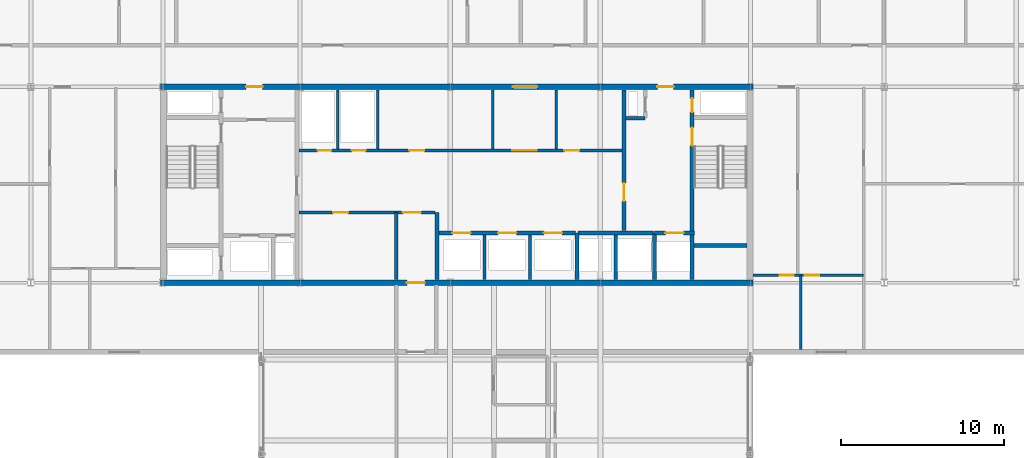
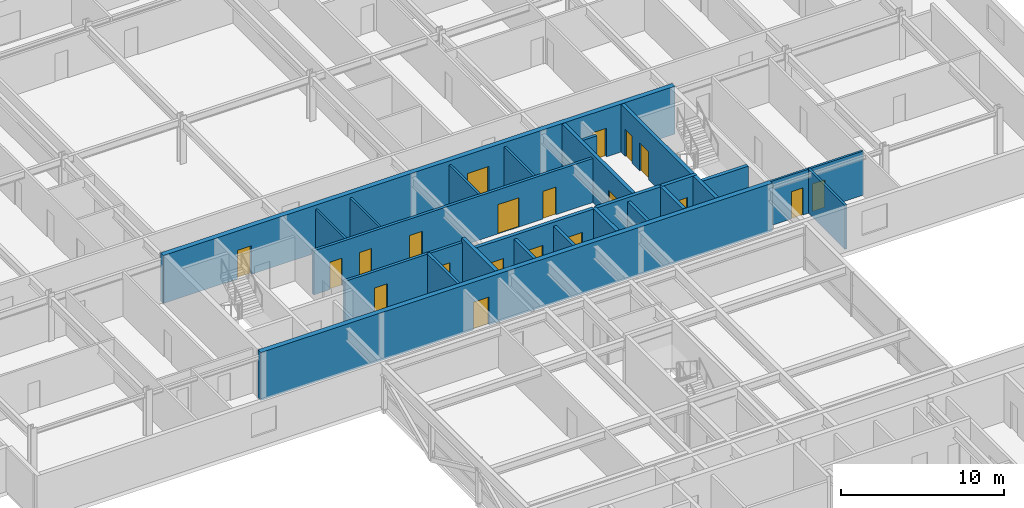
# One storey, part 25 of 36: 24 walls, 20 doors, 20 openings.
"""IFC4 building model written with IfcOpenShell, lengths in metres."""

from ifc_helpers import new_model, si_unit, direction, frame, frame_2d, origin, place, context, subcontext, project, spatial, rectangle, extrude, material, layer, layer_set, type_object, element, fill, save


model = new_model("IFC4")

# Units and contexts
model_context = context("Model", 3, precision=1e-05, world=origin(), true_north=direction((0.0, 1.0)))
body_context = subcontext(model_context, "Body", "Model", "MODEL_VIEW")
ifc_project = project(units=[si_unit("LENGTHUNIT", "METRE"), si_unit("AREAUNIT", "SQUARE_METRE"), si_unit("VOLUMEUNIT", "CUBIC_METRE"), si_unit("PLANEANGLEUNIT", "RADIAN"), si_unit("MASSUNIT", "GRAM", prefix="KILO")], contexts=[model_context])

# Site, building, storey
site_placement = place(None, origin())
site = spatial("IfcSite", under=ifc_project, at=site_placement, CompositionType="ELEMENT")
building_placement = place(site_placement, origin())
building = spatial("IfcBuilding", under=site, at=building_placement, Name="Korimba Cascade Residences", CompositionType="ELEMENT")
storey_placement = place(building_placement, frame((0.0, 0.0, 146.5)))
storey = spatial("IfcBuildingStorey", under=building, at=storey_placement, Name="L42", CompositionType="ELEMENT", Elevation=146.5)

# Wall, opening, door
ifc_material_1 = material(Name="Concrete C65/80", Category="concrete")
ifc_layer_1 = layer(ifc_material_1, 0.35009765625)
ifc_layer_set_1 = layer_set([ifc_layer_1], Name="Concrete C65/80")
wall_type_1 = type_object("IfcWallType", Name="WAL-CORE-350", PredefinedType="SHEAR", material=ifc_layer_set_1)
wall_1_placement = place(storey_placement, frame((75.949951171875, 55.199951171875, 0.0), z_axis=(0.0, 0.0, 1.0), x_axis=(1.0, 0.0, 0.0)))
wall_1 = element("IfcWall", 1, at=wall_1_placement, inside=storey, type_object=wall_type_1, Name="L42 Core Shear Wall CW-L42-T1-S", PredefinedType="SHEAR", context=body_context, shape_type="SweptSolid", body=[
    extrude(rectangle(XDim=36.300048828125, YDim=0.35009765625, at=frame_2d((18.14990234375, 0.0))), origin(), (0.0, 0.0, 1.0), 3.60009765625),
])
opening_1_placement = place(wall_1_placement, frame((15.10009765625, 0.0, 0.0)))
opening_1 = element("IfcOpeningElement", 2, at=opening_1_placement, cuts=wall_1, Name="Opening D-FD1", PredefinedType="OPENING", context=body_context, shape_type="SweptSolid", body=[
    extrude(rectangle(XDim=1.10009765625, YDim=2.10009765625, at=frame_2d((0.550048828125, 1.050048828125))), frame((0.0, 0.18505859375, 0.0), z_axis=(0.0, -1.0, 0.0), x_axis=(1.0, 0.0, 0.0)), (0.0, 0.0, 1.0), 0.3701171875),
])
ifc_material_2 = material(Name="Fire-Rated Steel Core Door", Category="steel")
door_type_1 = type_object("IfcDoorType", Name="DR-FD120-1100", OperationType="NOTDEFINED", PredefinedType="DOOR", material=ifc_material_2)
door_1_placement = place(opening_1_placement, origin())
door_1 = element("IfcDoor", 3, at=door_1_placement, inside=storey, type_object=door_type_1, Name="L42 Skybridge to T1 Core Fire Door", OperationType="SINGLE_SWING_RIGHT", OverallHeight=2.10009765625, OverallWidth=1.10009765625, PredefinedType="DOOR", context=body_context, shape_type="SweptSolid", body=[
    extrude(rectangle(XDim=1.10009765625, YDim=2.10009765625, at=frame_2d((0.550048828125, 1.050048828125))), frame((0.0, 0.02490234375, 0.0), z_axis=(0.0, -1.0, 0.0), x_axis=(1.0, 0.0, 0.0)), (0.0, 0.0, 1.0), 0.050048828125),
])
fill(opening_1, door_1)

# Wall, openings, doors
wall_2_placement = place(storey_placement, frame((75.949951171875, 67.199951171875, 0.0), z_axis=(0.0, 0.0, 1.0), x_axis=(1.0, 0.0, 0.0)))
wall_2 = element("IfcWall", 4, at=wall_2_placement, inside=storey, type_object=wall_type_1, Name="L42 Core Shear Wall CW-L42-T1-N", PredefinedType="SHEAR", context=body_context, shape_type="SweptSolid", body=[
    extrude(rectangle(XDim=36.300048828125, YDim=0.35009765625, at=frame_2d((18.14990234375, 0.0))), origin(), (0.0, 0.0, 1.0), 3.60009765625),
])
opening_2_placement = place(wall_2_placement, frame((5.25, 0.0, 0.0)))
opening_2 = element("IfcOpeningElement", 5, at=opening_2_placement, cuts=wall_2, Name="Opening D-FD5", PredefinedType="OPENING", context=body_context, shape_type="SweptSolid", body=[
    extrude(rectangle(XDim=1.0, YDim=2.14990234375, at=frame_2d((0.5, 1.074951171875))), frame((0.0, 0.18505859375, 0.0), z_axis=(0.0, -1.0, 0.0), x_axis=(1.0, 0.0, 0.0)), (0.0, 0.0, 1.0), 0.3701171875),
])
opening_3_placement = place(wall_2_placement, frame((21.60009765625, 0.0, 0.0)))
opening_3 = element("IfcOpeningElement", 6, at=opening_3_placement, cuts=wall_2, Name="Opening D-FD8", PredefinedType="OPENING", context=body_context, shape_type="SweptSolid", body=[
    extrude(rectangle(XDim=1.5, YDim=2.199951171875, at=frame_2d((0.75, 1.10009765625))), frame((0.0, 0.18505859375, 0.0), z_axis=(0.0, -1.0, 0.0), x_axis=(1.0, 0.0, 0.0)), (0.0, 0.0, 1.0), 0.3701171875),
])
opening_4_placement = place(wall_2_placement, frame((30.449951171875, 0.0, 0.0)))
opening_4 = element("IfcOpeningElement", 7, at=opening_4_placement, cuts=wall_2, Name="Opening D-FD5", PredefinedType="OPENING", context=body_context, shape_type="SweptSolid", body=[
    extrude(rectangle(XDim=1.0, YDim=2.14990234375, at=frame_2d((0.5, 1.074951171875))), frame((0.0, 0.18505859375, 0.0), z_axis=(0.0, -1.0, 0.0), x_axis=(1.0, 0.0, 0.0)), (0.0, 0.0, 1.0), 0.3701171875),
])
ifc_material_3 = material(Name="Fire-Rated Acoustic Timber Vestibule Door", Category="wood")
door_type_2 = type_object("IfcDoorType", Name="DR-FD90-1000", OperationType="NOTDEFINED", PredefinedType="DOOR", material=ifc_material_3)
door_2_placement = place(opening_2_placement, origin())
door_2 = element("IfcDoor", 8, at=door_2_placement, inside=storey, type_object=door_type_2, Name="L42 T1 West Core Vestibule Fire Door", OperationType="SINGLE_SWING_LEFT", OverallHeight=2.14990234375, OverallWidth=1.0, PredefinedType="DOOR", context=body_context, shape_type="SweptSolid", body=[
    extrude(rectangle(XDim=1.0, YDim=2.14990234375, at=frame_2d((0.5, 1.074951171875))), frame((0.0, 0.02490234375, 0.0), z_axis=(0.0, -1.0, 0.0), x_axis=(1.0, 0.0, 0.0)), (0.0, 0.0, 1.0), 0.050048828125),
])
fill(opening_2, door_2)
door_3_placement = place(opening_4_placement, origin())
door_3 = element("IfcDoor", 9, at=door_3_placement, inside=storey, type_object=door_type_2, Name="L42 T1 East Firefighting Vestibule Fire Door", OperationType="SINGLE_SWING_RIGHT", OverallHeight=2.14990234375, OverallWidth=1.0, PredefinedType="DOOR", context=body_context, shape_type="SweptSolid", body=[
    extrude(rectangle(XDim=1.0, YDim=2.14990234375, at=frame_2d((0.5, 1.074951171875))), frame((0.0, 0.02490234375, 0.0), z_axis=(0.0, -1.0, 0.0), x_axis=(1.0, 0.0, 0.0)), (0.0, 0.0, 1.0), 0.050048828125),
])
fill(opening_4, door_3)
ifc_material_4 = material(Name="Fire-Rated Glazed Lift Lobby Double Door", Category="glass")
door_type_3 = type_object("IfcDoorType", Name="DR-FD90-1500", OperationType="NOTDEFINED", PredefinedType="DOOR", material=ifc_material_4)
door_4_placement = place(opening_3_placement, origin())
door_4 = element("IfcDoor", 10, at=door_4_placement, inside=storey, type_object=door_type_3, Name="L42 T1 Lift Lobby Fire Door", OperationType="DOUBLE_DOOR_SINGLE_SWING", OverallHeight=2.199951171875, OverallWidth=1.5, PredefinedType="DOOR", context=body_context, shape_type="SweptSolid", body=[
    extrude(rectangle(XDim=1.5, YDim=2.199951171875, at=frame_2d((0.75, 1.10009765625))), frame((0.0, 0.02490234375, 0.0), z_axis=(0.0, -1.0, 0.0), x_axis=(1.0, 0.0, 0.0)), (0.0, 0.0, 1.0), 0.050048828125),
])
fill(opening_3, door_4)

# Walls
ifc_material_5 = material(Name="Insulated Acoustic Stud Partition", Category="gypsum")
ifc_layer_2 = layer(ifc_material_5, 0.14990234375)
ifc_layer_set_2 = layer_set([ifc_layer_2], Name="Insulated Acoustic Stud Partition")
wall_type_2 = type_object("IfcWallType", Name="WAL-PART-150", PredefinedType="PARTITIONING", material=ifc_layer_set_2)
for number, where, z_axis, x_axis, name in (
    (11, (86.800048828125, 63.39990234375, 0.0), (0.0, 0.0, 1.0), (0.0, 1.0, 0.0), "L42 Partition Wall CW-L42-T1-ERDIV"),
    (12, (89.25, 63.39990234375, 0.0), (0.0, 0.0, 1.0), (0.0, 1.0, 0.0), "L42 Partition Wall CW-L42-T1-PRDIV"),
    (13, (96.300048828125, 63.39990234375, 0.0), (0.0, 0.0, 1.0), (0.0, 1.0, 0.0), "L42 Partition Wall CW-L42-T1-THW"),
    (14, (100.199951171875, 63.39990234375, 0.0), (0.0, 0.0, 1.0), (0.0, 1.0, 0.0), "L42 Partition Wall CW-L42-T1-THE"),
):
    element("IfcWall", number, at=place(storey_placement, frame(where, z_axis=z_axis, x_axis=x_axis)), inside=storey, type_object=wall_type_2, Name=name, PredefinedType="PARTITIONING", context=body_context, shape_type="SweptSolid", body=[
        extrude(rectangle(XDim=3.60009765625, YDim=0.14990234375, at=frame_2d((1.800048828125, 0.0))), origin(), (0.0, 0.0, 1.0), 3.31005859375),
    ])
wall_3_placement = place(storey_placement, frame((115.199951171875, 51.10009765625, 0.0), z_axis=(0.0, 0.0, 1.0), x_axis=(0.0, 1.0, 0.0)))
element("IfcWall", 15, at=wall_3_placement, inside=storey, type_object=wall_type_2, Name="L42 Partition Wall WAL-L42-T1-FE-VS", PredefinedType="PARTITIONING", context=body_context, shape_type="SweptSolid", body=[
    extrude(rectangle(XDim=4.5498046875, YDim=0.14990234375, at=frame_2d((2.27490234375, 0.0))), origin(), (0.0, 0.0, 1.0), 3.31005859375),
])

# Wall, openings, doors
wall_4_placement = place(storey_placement, frame((112.27001953125, 55.64990234375, 0.0), z_axis=(0.0, 0.0, 1.0), x_axis=(1.0, 0.0, 0.0)))
wall_4 = element("IfcWall", 16, at=wall_4_placement, inside=storey, type_object=wall_type_2, Name="L42 Partition Wall WAL-L42-T1-FE-H", PredefinedType="PARTITIONING", context=body_context, shape_type="SweptSolid", body=[
    extrude(rectangle(XDim=6.760009765625, YDim=0.14990234375, at=frame_2d((3.3798828125, 0.0))), origin(), (0.0, 0.0, 1.0), 3.31005859375),
])
opening_5_placement = place(wall_4_placement, frame((1.6396484375, 0.0, 0.0)))
opening_5 = element("IfcOpeningElement", 17, at=opening_5_placement, cuts=wall_4, Name="Opening D-BT1", PredefinedType="OPENING", context=body_context, shape_type="SweptSolid", body=[
    extrude(rectangle(XDim=0.840087890625, YDim=2.0400390625, at=frame_2d((0.419921875, 1.02001953125))), frame((0.0, 0.0849609375, 0.0), z_axis=(0.0, -1.0, 0.0), x_axis=(1.0, 0.0, 0.0)), (0.0, 0.0, 1.0), 0.169921875),
])
opening_6_placement = place(wall_4_placement, frame((3.160400390625, 0.0, 0.0)))
opening_6 = element("IfcOpeningElement", 18, at=opening_6_placement, cuts=wall_4, Name="Opening D-IN2", PredefinedType="OPENING", context=body_context, shape_type="SweptSolid", body=[
    extrude(rectangle(XDim=0.8798828125, YDim=2.06005859375, at=frame_2d((0.43994140625, 1.030029296875))), frame((0.0, 0.0849609375, 0.0), z_axis=(0.0, -1.0, 0.0), x_axis=(1.0, 0.0, 0.0)), (0.0, 0.0, 1.0), 0.169921875),
])
ifc_material_6 = material(Name="Moisture-Resistant Bathroom Timber Door", Category="wood")
door_type_4 = type_object("IfcDoorType", Name="DR-INT-850", OperationType="NOTDEFINED", PredefinedType="DOOR", material=ifc_material_6)
door_5_placement = place(opening_5_placement, origin())
door_5 = element("IfcDoor", 19, at=door_5_placement, inside=storey, type_object=door_type_4, Name="L42-T1-FE Bathroom Door", OperationType="SINGLE_SWING_RIGHT", OverallHeight=2.0400390625, OverallWidth=0.840087890625, PredefinedType="DOOR", context=body_context, shape_type="SweptSolid", body=[
    extrude(rectangle(XDim=0.840087890625, YDim=2.0400390625, at=frame_2d((0.419921875, 1.02001953125))), frame((0.0, 0.02490234375, 0.0), z_axis=(0.0, -1.0, 0.0), x_axis=(1.0, 0.0, 0.0)), (0.0, 0.0, 1.0), 0.050048828125),
])
fill(opening_5, door_5)
ifc_material_7 = material(Name="Acoustic Timber Bedroom Door", Category="wood")
door_type_5 = type_object("IfcDoorType", Name="DR-INT-880", OperationType="NOTDEFINED", PredefinedType="DOOR", material=ifc_material_7)
door_6_placement = place(opening_6_placement, origin())
door_6 = element("IfcDoor", 20, at=door_6_placement, inside=storey, type_object=door_type_5, Name="L42-T1-FE Bedroom Door", OperationType="SINGLE_SWING_LEFT", OverallHeight=2.06005859375, OverallWidth=0.8798828125, PredefinedType="DOOR", context=body_context, shape_type="SweptSolid", body=[
    extrude(rectangle(XDim=0.8798828125, YDim=2.06005859375, at=frame_2d((0.43994140625, 1.030029296875))), frame((0.0, 0.02490234375, 0.0), z_axis=(0.0, -1.0, 0.0), x_axis=(1.0, 0.0, 0.0)), (0.0, 0.0, 1.0), 0.050048828125),
])
fill(opening_6, door_6)

# Wall
ifc_material_8 = material(Name="Concrete C40/50", Category="concrete")
ifc_layer_3 = layer(ifc_material_8, 0.199951171875)
ifc_layer_set_3 = layer_set([ifc_layer_3], Name="Concrete C40/50")
wall_type_3 = type_object("IfcWallType", Name="WAL-PART-200", PredefinedType="PARTITIONING", material=ifc_layer_set_3)
wall_5_placement = place(storey_placement, frame((90.39990234375, 55.39990234375, 0.0), z_axis=(0.0, 0.0, 1.0), x_axis=(0.0, 1.0, 0.0)))
element("IfcWall", 21, at=wall_5_placement, inside=storey, type_object=wall_type_3, Name="L42 Partition Wall CW-L42-T1-BRGPD", PredefinedType="PARTITIONING", context=body_context, shape_type="SweptSolid", body=[
    extrude(rectangle(XDim=4.10009765625, YDim=0.199951171875, at=frame_2d((2.050048828125, 0.0))), origin(), (0.0, 0.0, 1.0), 3.31005859375),
])

# Wall, openings, doors
wall_6_placement = place(storey_placement, frame((84.419921875, 59.5, 0.0), z_axis=(0.0, 0.0, 1.0), x_axis=(1.0, 0.0, 0.0)))
wall_6 = element("IfcWall", 22, at=wall_6_placement, inside=storey, type_object=wall_type_3, Name="L42 Partition Wall CW-L42-T1-B1RN", PredefinedType="PARTITIONING", context=body_context, shape_type="SweptSolid", body=[
    extrude(rectangle(XDim=8.360107421875, YDim=0.199951171875, at=frame_2d((4.18017578125, 0.0))), origin(), (0.0, 0.0, 1.0), 3.31005859375),
])
opening_7_placement = place(wall_6_placement, frame((2.10009765625, 0.0, 0.0)))
opening_7 = element("IfcOpeningElement", 23, at=opening_7_placement, cuts=wall_6, Name="Opening D-ST1", PredefinedType="OPENING", context=body_context, shape_type="SweptSolid", body=[
    extrude(rectangle(XDim=0.919921875, YDim=2.080078125, at=frame_2d((0.4599609375, 1.0400390625))), frame((0.0, 0.10986328125, 0.0), z_axis=(0.0, -1.0, 0.0), x_axis=(1.0, 0.0, 0.0)), (0.0, 0.0, 1.0), 0.219970703125),
])
opening_8_placement = place(wall_6_placement, frame((6.3798828125, 0.0, 0.0)))
opening_8 = element("IfcOpeningElement", 24, at=opening_8_placement, cuts=wall_6, Name="Opening D-FD1", PredefinedType="OPENING", context=body_context, shape_type="SweptSolid", body=[
    extrude(rectangle(XDim=1.10009765625, YDim=2.10009765625, at=frame_2d((0.550048828125, 1.050048828125))), frame((0.0, 0.10986328125, 0.0), z_axis=(0.0, -1.0, 0.0), x_axis=(1.0, 0.0, 0.0)), (0.0, 0.0, 1.0), 0.219970703125),
])
door_7_placement = place(opening_8_placement, origin())
door_7 = element("IfcDoor", 25, at=door_7_placement, inside=storey, type_object=door_type_1, Name="L42 Skybridge Vestibule to Lift Lobby Door", OperationType="SINGLE_SWING_RIGHT", OverallHeight=2.10009765625, OverallWidth=1.10009765625, PredefinedType="DOOR", context=body_context, shape_type="SweptSolid", body=[
    extrude(rectangle(XDim=1.10009765625, YDim=2.10009765625, at=frame_2d((0.550048828125, 1.050048828125))), frame((0.0, 0.02490234375, 0.0), z_axis=(0.0, -1.0, 0.0), x_axis=(1.0, 0.0, 0.0)), (0.0, 0.0, 1.0), 0.050048828125),
])
fill(opening_8, door_7)
ifc_material_9 = material(Name="Fire-Rated Core Store Door", Category="wood")
door_type_6 = type_object("IfcDoorType", Name="DR-FD60-920", OperationType="NOTDEFINED", PredefinedType="DOOR", material=ifc_material_9)
door_8_placement = place(opening_7_placement, origin())
door_8 = element("IfcDoor", 26, at=door_8_placement, inside=storey, type_object=door_type_6, Name="L42 Resident Storage Door", OperationType="SINGLE_SWING_LEFT", OverallHeight=2.080078125, OverallWidth=0.919921875, PredefinedType="DOOR", context=body_context, shape_type="SweptSolid", body=[
    extrude(rectangle(XDim=0.919921875, YDim=2.080078125, at=frame_2d((0.4599609375, 1.0400390625))), frame((0.0, 0.02490234375, 0.0), z_axis=(0.0, -1.0, 0.0), x_axis=(1.0, 0.0, 0.0)), (0.0, 0.0, 1.0), 0.050048828125),
])
fill(opening_7, door_8)

# Walls
for number, where, z_axis, x_axis, name in (
    (27, (95.800048828125, 55.39990234375, 0.0), (0.0, 0.0, 1.0), (0.0, 1.0, 0.0), "L42 Partition Wall CW-L42-T1-B2D1"),
    (28, (98.60009765625, 55.39990234375, 0.0), (0.0, 0.0, 1.0), (0.0, 1.0, 0.0), "L42 Partition Wall CW-L42-T1-B2D2"),
    (29, (103.85009765625, 55.39990234375, 0.0), (0.0, 0.0, 1.0), (0.0, 1.0, 0.0), "L42 Partition Wall CW-L42-T1-B3D1"),
):
    element("IfcWall", number, at=place(storey_placement, frame(where, z_axis=z_axis, x_axis=x_axis)), inside=storey, type_object=wall_type_3, Name=name, PredefinedType="PARTITIONING", context=body_context, shape_type="SweptSolid", body=[
        extrude(rectangle(XDim=2.72021484375, YDim=0.199951171875, at=frame_2d((1.360107421875, 0.0))), origin(), (0.0, 0.0, 1.0), 3.31005859375),
    ])

# Wall, openings, doors
wall_7_placement = place(storey_placement, frame((84.419921875, 63.300048828125, 0.0), z_axis=(0.0, 0.0, 1.0), x_axis=(1.0, 0.0, 0.0)))
wall_7 = element("IfcWall", 30, at=wall_7_placement, inside=storey, type_object=wall_type_3, Name="L42 Partition Wall CW-L42-T1-SRVROW", PredefinedType="PARTITIONING", context=body_context, shape_type="SweptSolid", body=[
    extrude(rectangle(XDim=19.830078125, YDim=0.199951171875, at=frame_2d((9.9150390625, 0.0))), origin(), (0.0, 0.0, 1.0), 3.31005859375),
])
opening_9_placement = place(wall_7_placement, frame((1.14990234375, 0.0, 0.0)))
opening_9 = element("IfcOpeningElement", 31, at=opening_9_placement, cuts=wall_7, Name="Opening D-RS1", PredefinedType="OPENING", context=body_context, shape_type="SweptSolid", body=[
    extrude(rectangle(XDim=0.85009765625, YDim=2.050048828125, at=frame_2d((0.425048828125, 1.02490234375))), frame((0.0, 0.10986328125, 0.0), z_axis=(0.0, -1.0, 0.0), x_axis=(1.0, 0.0, 0.0)), (0.0, 0.0, 1.0), 0.219970703125),
])
opening_10_placement = place(wall_7_placement, frame((3.25, 0.0, 0.0)))
opening_10 = element("IfcOpeningElement", 32, at=opening_10_placement, cuts=wall_7, Name="Opening D-RS1", PredefinedType="OPENING", context=body_context, shape_type="SweptSolid", body=[
    extrude(rectangle(XDim=0.85009765625, YDim=2.050048828125, at=frame_2d((0.425048828125, 1.02490234375))), frame((0.0, 0.10986328125, 0.0), z_axis=(0.0, -1.0, 0.0), x_axis=(1.0, 0.0, 0.0)), (0.0, 0.0, 1.0), 0.219970703125),
])
opening_11_placement = place(wall_7_placement, frame((13.080078125, 0.0, 0.0)))
opening_11 = element("IfcOpeningElement", 33, at=opening_11_placement, cuts=wall_7, Name="Opening D-FD8", PredefinedType="OPENING", context=body_context, shape_type="SweptSolid", body=[
    extrude(rectangle(XDim=1.5, YDim=2.199951171875, at=frame_2d((0.75, 1.10009765625))), frame((0.0, 0.10986328125, 0.0), z_axis=(0.0, -1.0, 0.0), x_axis=(1.0, 0.0, 0.0)), (0.0, 0.0, 1.0), 0.219970703125),
])
opening_12_placement = place(wall_7_placement, frame((6.780029296875, 0.0, 0.0)))
opening_12 = element("IfcOpeningElement", 34, at=opening_12_placement, cuts=wall_7, Name="Opening D-IN1", PredefinedType="OPENING", context=body_context, shape_type="SweptSolid", body=[
    extrude(rectangle(XDim=0.919921875, YDim=2.080078125, at=frame_2d((0.4599609375, 1.0400390625))), frame((0.0, 0.10986328125, 0.0), z_axis=(0.0, -1.0, 0.0), x_axis=(1.0, 0.0, 0.0)), (0.0, 0.0, 1.0), 0.219970703125),
])
opening_13_placement = place(wall_7_placement, frame((16.280029296875, 0.0, 0.0)))
opening_13 = element("IfcOpeningElement", 35, at=opening_13_placement, cuts=wall_7, Name="Opening D-IN1", PredefinedType="OPENING", context=body_context, shape_type="SweptSolid", body=[
    extrude(rectangle(XDim=0.919921875, YDim=2.080078125, at=frame_2d((0.4599609375, 1.0400390625))), frame((0.0, 0.10986328125, 0.0), z_axis=(0.0, -1.0, 0.0), x_axis=(1.0, 0.0, 0.0)), (0.0, 0.0, 1.0), 0.219970703125),
])
ifc_material_10 = material(Name="Fire-Rated Steel Riser Access Door", Category="steel")
door_type_7 = type_object("IfcDoorType", Name="DR-FD60-850", OperationType="NOTDEFINED", PredefinedType="DOOR", material=ifc_material_10)
door_9_placement = place(opening_9_placement, origin())
door_9 = element("IfcDoor", 36, at=door_9_placement, inside=storey, type_object=door_type_7, Name="L42 Electrical Riser Door", OperationType="SINGLE_SWING_LEFT", OverallHeight=2.050048828125, OverallWidth=0.85009765625, PredefinedType="DOOR", context=body_context, shape_type="SweptSolid", body=[
    extrude(rectangle(XDim=0.85009765625, YDim=2.050048828125, at=frame_2d((0.425048828125, 1.02490234375))), frame((0.0, 0.02490234375, 0.0), z_axis=(0.0, -1.0, 0.0), x_axis=(1.0, 0.0, 0.0)), (0.0, 0.0, 1.0), 0.050048828125),
])
fill(opening_9, door_9)
door_10_placement = place(opening_10_placement, origin())
door_10 = element("IfcDoor", 37, at=door_10_placement, inside=storey, type_object=door_type_7, Name="L42 Plumbing Riser Door", OperationType="SINGLE_SWING_RIGHT", OverallHeight=2.050048828125, OverallWidth=0.85009765625, PredefinedType="DOOR", context=body_context, shape_type="SweptSolid", body=[
    extrude(rectangle(XDim=0.85009765625, YDim=2.050048828125, at=frame_2d((0.425048828125, 1.02490234375))), frame((0.0, 0.02490234375, 0.0), z_axis=(0.0, -1.0, 0.0), x_axis=(1.0, 0.0, 0.0)), (0.0, 0.0, 1.0), 0.050048828125),
])
fill(opening_10, door_10)
door_11_placement = place(opening_11_placement, origin())
door_11 = element("IfcDoor", 38, at=door_11_placement, inside=storey, type_object=door_type_3, Name="L42 Lift Lobby Foyer Archway Door", OperationType="DOUBLE_DOOR_SINGLE_SWING", OverallHeight=2.199951171875, OverallWidth=1.5, PredefinedType="DOOR", context=body_context, shape_type="SweptSolid", body=[
    extrude(rectangle(XDim=1.5, YDim=2.199951171875, at=frame_2d((0.75, 1.10009765625))), frame((0.0, 0.02490234375, 0.0), z_axis=(0.0, -1.0, 0.0), x_axis=(1.0, 0.0, 0.0)), (0.0, 0.0, 1.0), 0.050048828125),
])
fill(opening_11, door_11)
ifc_material_11 = material(Name="Acoustic Timber Living Door", Category="wood")
door_type_8 = type_object("IfcDoorType", Name="DR-INT-920", OperationType="NOTDEFINED", PredefinedType="DOOR", material=ifc_material_11)
door_12_placement = place(opening_12_placement, origin())
door_12 = element("IfcDoor", 39, at=door_12_placement, inside=storey, type_object=door_type_8, Name="L42 Housekeeping Door", OperationType="SINGLE_SWING_LEFT", OverallHeight=2.080078125, OverallWidth=0.919921875, PredefinedType="DOOR", context=body_context, shape_type="SweptSolid", body=[
    extrude(rectangle(XDim=0.919921875, YDim=2.080078125, at=frame_2d((0.4599609375, 1.0400390625))), frame((0.0, 0.02490234375, 0.0), z_axis=(0.0, -1.0, 0.0), x_axis=(1.0, 0.0, 0.0)), (0.0, 0.0, 1.0), 0.050048828125),
])
fill(opening_12, door_12)
door_13_placement = place(opening_13_placement, origin())
door_13 = element("IfcDoor", 40, at=door_13_placement, inside=storey, type_object=door_type_8, Name="L42 Store Door", OperationType="SINGLE_SWING_RIGHT", OverallHeight=2.080078125, OverallWidth=0.919921875, PredefinedType="DOOR", context=body_context, shape_type="SweptSolid", body=[
    extrude(rectangle(XDim=0.919921875, YDim=2.080078125, at=frame_2d((0.4599609375, 1.0400390625))), frame((0.0, 0.02490234375, 0.0), z_axis=(0.0, -1.0, 0.0), x_axis=(1.0, 0.0, 0.0)), (0.0, 0.0, 1.0), 0.050048828125),
])
fill(opening_13, door_13)

# Walls
wall_8_placement = place(storey_placement, frame((104.449951171875, 65.280029296875, 0.0), z_axis=(0.0, 0.0, 1.0), x_axis=(1.0, 0.0, 0.0)))
element("IfcWall", 41, at=wall_8_placement, inside=storey, type_object=wall_type_3, Name="L42 Partition Wall CW-L42-T1-HYDW2S", PredefinedType="PARTITIONING", context=body_context, shape_type="SweptSolid", body=[
    extrude(rectangle(XDim=1.199951171875, YDim=0.199951171875, at=frame_2d((0.60009765625, 0.0))), origin(), (0.0, 0.0, 1.0), 3.31005859375),
])
ifc_material_12 = material(Name="Concrete C50/60", Category="concrete")
ifc_layer_4 = layer(ifc_material_12, 0.25)
ifc_layer_set_4 = layer_set([ifc_layer_4], Name="Concrete C50/60")
wall_type_4 = type_object("IfcWallType", Name="WAL-SHAFT-250", PredefinedType="SHEAR", material=ifc_layer_set_4)
wall_9_placement = place(storey_placement, frame((92.89990234375, 55.39990234375, 0.0), z_axis=(0.0, 0.0, 1.0), x_axis=(0.0, 1.0, 0.0)))
element("IfcWall", 42, at=wall_9_placement, inside=storey, type_object=wall_type_4, Name="L42 Core Shear Wall CW-L42-T1-B12DIV", PredefinedType="SHEAR", context=body_context, shape_type="SweptSolid", body=[
    extrude(rectangle(XDim=4.10009765625, YDim=0.25, at=frame_2d((2.050048828125, 0.0))), origin(), (0.0, 0.0, 1.0), 3.60009765625),
])

# Wall, openings, doors
wall_10_placement = place(storey_placement, frame((93.02001953125, 58.25, 0.0), z_axis=(0.0, 0.0, 1.0), x_axis=(1.0, 0.0, 0.0)))
wall_10 = element("IfcWall", 43, at=wall_10_placement, inside=storey, type_object=wall_type_4, Name="L42 Core Shear Wall CW-L42-T1-B2N", PredefinedType="SHEAR", context=body_context, shape_type="SweptSolid", body=[
    extrude(rectangle(XDim=8.35986328125, YDim=0.25, at=frame_2d((4.179931640625, 0.0))), origin(), (0.0, 0.0, 1.0), 3.60009765625),
])
opening_14_placement = place(wall_10_placement, frame((0.820068359375, 0.0, 0.0)))
opening_14 = element("IfcOpeningElement", 44, at=opening_14_placement, cuts=wall_10, Name="Opening LD-01", PredefinedType="OPENING", context=body_context, shape_type="SweptSolid", body=[
    extrude(rectangle(XDim=1.1201171875, YDim=2.1201171875, at=frame_2d((0.56005859375, 1.06005859375))), frame((0.0, 0.135009765625, 0.0), z_axis=(0.0, -1.0, 0.0), x_axis=(1.0, 0.0, 0.0)), (0.0, 0.0, 1.0), 0.27001953125),
])
opening_15_placement = place(wall_10_placement, frame((3.6201171875, 0.0, 0.0)))
opening_15 = element("IfcOpeningElement", 45, at=opening_15_placement, cuts=wall_10, Name="Opening LD-01", PredefinedType="OPENING", context=body_context, shape_type="SweptSolid", body=[
    extrude(rectangle(XDim=1.1201171875, YDim=2.1201171875, at=frame_2d((0.56005859375, 1.06005859375))), frame((0.0, 0.135009765625, 0.0), z_axis=(0.0, -1.0, 0.0), x_axis=(1.0, 0.0, 0.0)), (0.0, 0.0, 1.0), 0.27001953125),
])
opening_16_placement = place(wall_10_placement, frame((6.419921875, 0.0, 0.0)))
opening_16 = element("IfcOpeningElement", 46, at=opening_16_placement, cuts=wall_10, Name="Opening LD-01", PredefinedType="OPENING", context=body_context, shape_type="SweptSolid", body=[
    extrude(rectangle(XDim=1.1201171875, YDim=2.1201171875, at=frame_2d((0.56005859375, 1.06005859375))), frame((0.0, 0.135009765625, 0.0), z_axis=(0.0, -1.0, 0.0), x_axis=(1.0, 0.0, 0.0)), (0.0, 0.0, 1.0), 0.27001953125),
])
ifc_material_13 = material(Name="Stainless Steel Lift Landing Sliding Door", Category="steel")
door_type_9 = type_object("IfcDoorType", Name="DR-LIFT-1100", OperationType="NOTDEFINED", PredefinedType="DOOR", material=ifc_material_13)
door_14_placement = place(opening_14_placement, origin())
door_14 = element("IfcDoor", 47, at=door_14_placement, inside=storey, type_object=door_type_9, Name="L42 Lift Landing Door PL-W4", OperationType="SLIDING_TO_RIGHT", OverallHeight=2.1201171875, OverallWidth=1.1201171875, PredefinedType="DOOR", context=body_context, shape_type="SweptSolid", body=[
    extrude(rectangle(XDim=1.1201171875, YDim=2.1201171875, at=frame_2d((0.56005859375, 1.06005859375))), frame((0.0, 0.02490234375, 0.0), z_axis=(0.0, -1.0, 0.0), x_axis=(1.0, 0.0, 0.0)), (0.0, 0.0, 1.0), 0.050048828125),
])
fill(opening_14, door_14)
door_15_placement = place(opening_15_placement, origin())
door_15 = element("IfcDoor", 48, at=door_15_placement, inside=storey, type_object=door_type_9, Name="L42 Lift Landing Door PL-W5", OperationType="SLIDING_TO_RIGHT", OverallHeight=2.1201171875, OverallWidth=1.1201171875, PredefinedType="DOOR", context=body_context, shape_type="SweptSolid", body=[
    extrude(rectangle(XDim=1.1201171875, YDim=2.1201171875, at=frame_2d((0.56005859375, 1.06005859375))), frame((0.0, 0.02490234375, 0.0), z_axis=(0.0, -1.0, 0.0), x_axis=(1.0, 0.0, 0.0)), (0.0, 0.0, 1.0), 0.050048828125),
])
fill(opening_15, door_15)
door_16_placement = place(opening_16_placement, origin())
door_16 = element("IfcDoor", 49, at=door_16_placement, inside=storey, type_object=door_type_9, Name="L42 Lift Landing Door PL-W6", OperationType="SLIDING_TO_RIGHT", OverallHeight=2.1201171875, OverallWidth=1.1201171875, PredefinedType="DOOR", context=body_context, shape_type="SweptSolid", body=[
    extrude(rectangle(XDim=1.1201171875, YDim=2.1201171875, at=frame_2d((0.56005859375, 1.06005859375))), frame((0.0, 0.02490234375, 0.0), z_axis=(0.0, -1.0, 0.0), x_axis=(1.0, 0.0, 0.0)), (0.0, 0.0, 1.0), 0.050048828125),
])
fill(opening_16, door_16)

# Walls
wall_11_placement = place(storey_placement, frame((101.47998046875, 55.39990234375, 0.0), z_axis=(0.0, 0.0, 1.0), x_axis=(0.0, 1.0, 0.0)))
element("IfcWall", 50, at=wall_11_placement, inside=storey, type_object=wall_type_4, Name="L42 Core Shear Wall CW-L42-T1-B23DIV", PredefinedType="SHEAR", context=body_context, shape_type="SweptSolid", body=[
    extrude(rectangle(XDim=2.85009765625, YDim=0.25, at=frame_2d((1.425048828125, 0.0))), origin(), (0.0, 0.0, 1.0), 3.60009765625),
])
wall_12_placement = place(storey_placement, frame((101.550048828125, 58.25, 0.0), z_axis=(0.0, 0.0, 1.0), x_axis=(1.0, 0.0, 0.0)))
element("IfcWall", 51, at=wall_12_placement, inside=storey, type_object=wall_type_4, Name="L42 Core Shear Wall CW-L42-T1-B3N", PredefinedType="SHEAR", context=body_context, shape_type="SweptSolid", body=[
    extrude(rectangle(XDim=4.599853515625, YDim=0.25, at=frame_2d((2.2998046875, 0.0))), origin(), (0.0, 0.0, 1.0), 3.60009765625),
])
wall_13_placement = place(storey_placement, frame((106.219970703125, 55.39990234375, 0.0), z_axis=(0.0, 0.0, 1.0), x_axis=(0.0, 1.0, 0.0)))
element("IfcWall", 52, at=wall_13_placement, inside=storey, type_object=wall_type_4, Name="L42 Core Shear Wall CW-L42-T1-FF2W", PredefinedType="SHEAR", context=body_context, shape_type="SweptSolid", body=[
    extrude(rectangle(XDim=2.85009765625, YDim=0.25, at=frame_2d((1.425048828125, 0.0))), origin(), (0.0, 0.0, 1.0), 3.60009765625),
])

# Wall, opening, door
wall_14_placement = place(storey_placement, frame((106.219970703125, 58.25, 0.0), z_axis=(0.0, 0.0, 1.0), x_axis=(1.0, 0.0, 0.0)))
wall_14 = element("IfcWall", 53, at=wall_14_placement, inside=storey, type_object=wall_type_4, Name="L42 Core Shear Wall CW-L42-T1-FF2N", PredefinedType="SHEAR", context=body_context, shape_type="SweptSolid", body=[
    extrude(rectangle(XDim=2.4599609375, YDim=0.25, at=frame_2d((1.22998046875, 0.0))), origin(), (0.0, 0.0, 1.0), 3.60009765625),
])
opening_17_placement = place(wall_14_placement, frame((0.669921875, 0.0, 0.0)))
opening_17 = element("IfcOpeningElement", 54, at=opening_17_placement, cuts=wall_14, Name="Opening LD-01", PredefinedType="OPENING", context=body_context, shape_type="SweptSolid", body=[
    extrude(rectangle(XDim=1.1201171875, YDim=2.1201171875, at=frame_2d((0.56005859375, 1.06005859375))), frame((0.0, 0.135009765625, 0.0), z_axis=(0.0, -1.0, 0.0), x_axis=(1.0, 0.0, 0.0)), (0.0, 0.0, 1.0), 0.27001953125),
])
door_17_placement = place(opening_17_placement, origin())
door_17 = element("IfcDoor", 55, at=door_17_placement, inside=storey, type_object=door_type_9, Name="L42 Firefighting Lift Landing Door FFL-W2", OperationType="SLIDING_TO_RIGHT", OverallHeight=2.1201171875, OverallWidth=1.1201171875, PredefinedType="DOOR", context=body_context, shape_type="SweptSolid", body=[
    extrude(rectangle(XDim=1.1201171875, YDim=2.1201171875, at=frame_2d((0.56005859375, 1.06005859375))), frame((0.0, 0.02490234375, 0.0), z_axis=(0.0, -1.0, 0.0), x_axis=(1.0, 0.0, 0.0)), (0.0, 0.0, 1.0), 0.050048828125),
])
fill(opening_17, door_17)

wall_15_placement = place(storey_placement, frame((104.35009765625, 58.39990234375, 0.0), z_axis=(0.0, 0.0, 1.0), x_axis=(0.0, 1.0, 0.0)))
wall_15 = element("IfcWall", 56, at=wall_15_placement, inside=storey, type_object=wall_type_4, Name="L42 Core Shear Wall CW-L42-T1-LLEV", PredefinedType="SHEAR", context=body_context, shape_type="SweptSolid", body=[
    extrude(rectangle(XDim=8.60009765625, YDim=0.25, at=frame_2d((4.300048828125, 0.0))), origin(), (0.0, 0.0, 1.0), 3.60009765625),
])
opening_18_placement = place(wall_15_placement, frame((1.800048828125, 0.0, 0.0)))
opening_18 = element("IfcOpeningElement", 57, at=opening_18_placement, cuts=wall_15, Name="Opening D-FD1", PredefinedType="OPENING", context=body_context, shape_type="SweptSolid", body=[
    extrude(rectangle(XDim=1.10009765625, YDim=2.10009765625, at=frame_2d((0.550048828125, 1.050048828125))), frame((0.0, 0.135009765625, 0.0), z_axis=(0.0, -1.0, 0.0), x_axis=(1.0, 0.0, 0.0)), (0.0, 0.0, 1.0), 0.27001953125),
])
door_18_placement = place(opening_18_placement, origin())
door_18 = element("IfcDoor", 58, at=door_18_placement, inside=storey, type_object=door_type_1, Name="L42 Lift Lobby to East Firefighting Lobby Door", OperationType="SINGLE_SWING_RIGHT", OverallHeight=2.10009765625, OverallWidth=1.10009765625, PredefinedType="DOOR", context=body_context, shape_type="SweptSolid", body=[
    extrude(rectangle(XDim=1.10009765625, YDim=2.10009765625, at=frame_2d((0.550048828125, 1.050048828125))), frame((0.0, 0.02490234375, 0.0), z_axis=(0.0, -1.0, 0.0), x_axis=(1.0, 0.0, 0.0)), (0.0, 0.0, 1.0), 0.050048828125),
])
fill(opening_18, door_18)

# Wall, openings, doors
wall_16_placement = place(storey_placement, frame((108.534912109375, 55.39990234375, 0.0), z_axis=(0.0, 0.0, 1.0), x_axis=(0.0, 1.0, 0.0)))
wall_16 = element("IfcWall", 59, at=wall_16_placement, inside=storey, type_object=wall_type_4, Name="L42 Core Shear Wall CW-L42-T1-STW2W", PredefinedType="SHEAR", context=body_context, shape_type="SweptSolid", body=[
    extrude(rectangle(XDim=11.60009765625, YDim=0.25, at=frame_2d((5.800048828125, 0.0))), origin(), (0.0, 0.0, 1.0), 3.60009765625),
])
opening_19_placement = place(wall_16_placement, frame((8.199951171875, 0.0, 0.0)))
opening_19 = element("IfcOpeningElement", 60, at=opening_19_placement, cuts=wall_16, Name="Opening D-FD1", PredefinedType="OPENING", context=body_context, shape_type="SweptSolid", body=[
    extrude(rectangle(XDim=1.10009765625, YDim=2.10009765625, at=frame_2d((0.550048828125, 1.050048828125))), frame((0.0, 0.135009765625, 0.0), z_axis=(0.0, -1.0, 0.0), x_axis=(1.0, 0.0, 0.0)), (0.0, 0.0, 1.0), 0.27001953125),
])
opening_20_placement = place(wall_16_placement, frame((10.25, 0.0, 0.0)))
opening_20 = element("IfcOpeningElement", 61, at=opening_20_placement, cuts=wall_16, Name="Opening D-RS1", PredefinedType="OPENING", context=body_context, shape_type="SweptSolid", body=[
    extrude(rectangle(XDim=0.85009765625, YDim=2.050048828125, at=frame_2d((0.425048828125, 1.02490234375))), frame((0.0, 0.135009765625, 0.0), z_axis=(0.0, -1.0, 0.0), x_axis=(1.0, 0.0, 0.0)), (0.0, 0.0, 1.0), 0.27001953125),
])
door_19_placement = place(opening_19_placement, origin())
door_19 = element("IfcDoor", 62, at=door_19_placement, inside=storey, type_object=door_type_1, Name="L42 Fire Stair ST-W2 Door", OperationType="SINGLE_SWING_LEFT", OverallHeight=2.10009765625, OverallWidth=1.10009765625, PredefinedType="DOOR", context=body_context, shape_type="SweptSolid", body=[
    extrude(rectangle(XDim=1.10009765625, YDim=2.10009765625, at=frame_2d((0.550048828125, 1.050048828125))), frame((0.0, 0.02490234375, 0.0), z_axis=(0.0, -1.0, 0.0), x_axis=(1.0, 0.0, 0.0)), (0.0, 0.0, 1.0), 0.050048828125),
])
fill(opening_19, door_19)
door_20_placement = place(opening_20_placement, origin())
door_20 = element("IfcDoor", 63, at=door_20_placement, inside=storey, type_object=door_type_7, Name="L42 East Riser Door", OperationType="SINGLE_SWING_RIGHT", OverallHeight=2.050048828125, OverallWidth=0.85009765625, PredefinedType="DOOR", context=body_context, shape_type="SweptSolid", body=[
    extrude(rectangle(XDim=0.85009765625, YDim=2.050048828125, at=frame_2d((0.425048828125, 1.02490234375))), frame((0.0, 0.02490234375, 0.0), z_axis=(0.0, -1.0, 0.0), x_axis=(1.0, 0.0, 0.0)), (0.0, 0.0, 1.0), 0.050048828125),
])
fill(opening_20, door_20)

# Wall
wall_17_placement = place(storey_placement, frame((108.659912109375, 57.47509765625, 0.0), z_axis=(0.0, 0.0, 1.0), x_axis=(1.0, 0.0, 0.0)))
element("IfcWall", 64, at=wall_17_placement, inside=storey, type_object=wall_type_4, Name="L42 Core Shear Wall CW-L42-T1-STW2S", PredefinedType="SHEAR", context=body_context, shape_type="SweptSolid", body=[
    extrude(rectangle(XDim=3.239990234375, YDim=0.25, at=frame_2d((1.6201171875, 0.0))), origin(), (0.0, 0.0, 1.0), 3.60009765625),
])

save(model, "model.ifc")
